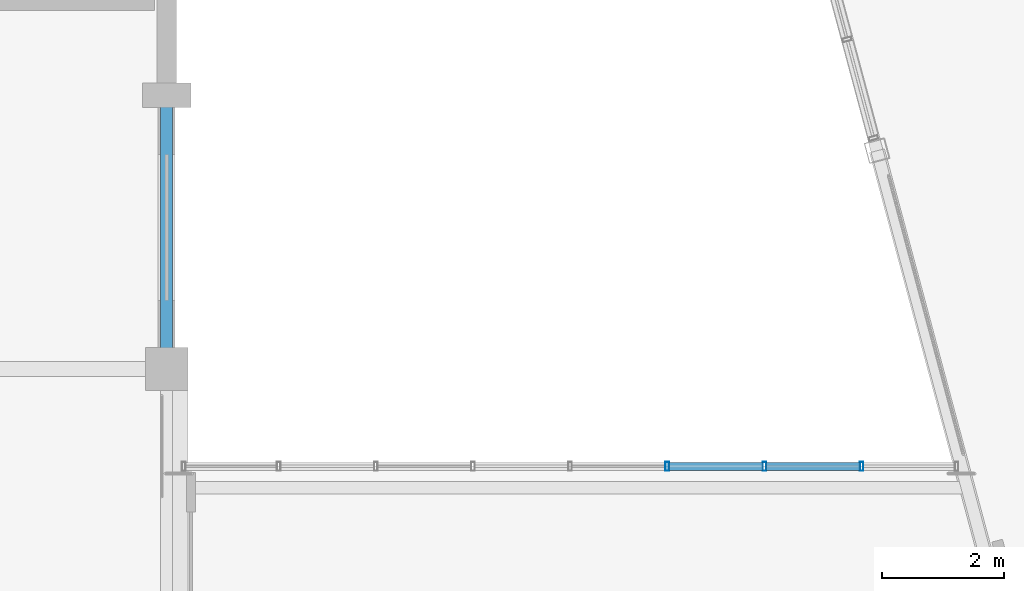
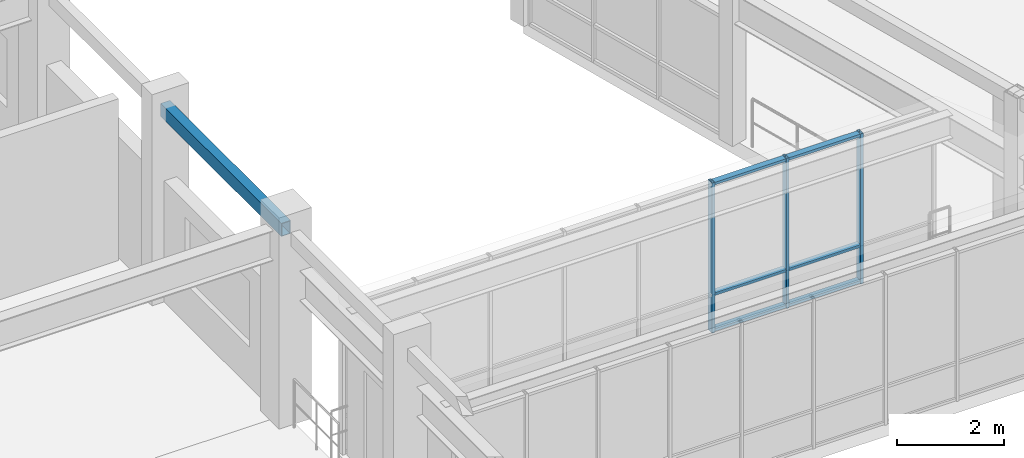
# One storey, part 32 of 99: 9 members, 1 beam, 1 element without a shape of its own.
"""IFC4 building model written with IfcOpenShell, lengths in metres."""

from ifc_helpers import new_model, si_unit, direction, frame, origin, origin_2d, place, context, subcontext, project, spatial, hollow_rectangle, extrude, material, layer, layer_set, material_profile, profile_set, type_object, element, aggregate, save


model = new_model("IFC4")

# Units and contexts
model_context = context("Model", 3, precision=1e-05, world=origin(), true_north=direction((0.0, 1.0)))
body_context = subcontext(model_context, "Body", "Model", "MODEL_VIEW")
ifc_project = project(units=[si_unit("LENGTHUNIT", "METRE"), si_unit("AREAUNIT", "SQUARE_METRE"), si_unit("VOLUMEUNIT", "CUBIC_METRE"), si_unit("PLANEANGLEUNIT", "RADIAN"), si_unit("MASSUNIT", "GRAM", prefix="KILO")], contexts=[model_context])

# Site, building, storey
site_placement = place(None, origin())
site = spatial("IfcSite", under=ifc_project, at=site_placement, CompositionType="ELEMENT")
building_placement = place(site_placement, origin())
building = spatial("IfcBuilding", under=site, at=building_placement, Name="Ventoquebrada Cableway Terminal", CompositionType="ELEMENT")
storey_placement = place(building_placement, frame((0.0, 0.0, 9.60009765625)))
storey = spatial("IfcBuildingStorey", under=building, at=storey_placement, Name="L02", CompositionType="ELEMENT", Elevation=9.60009765625)

# Curtain wall, members
ifc_material_1 = material(Name="Anodized thermally-broken aluminium", Category="aluminium")
ifc_layer = layer(ifc_material_1, 0.159912109375)
ifc_layer_set = layer_set([ifc_layer], Name="Anodized thermally-broken aluminium")
curtain_wall_type = type_object("IfcCurtainWallType", Name="CW-T53", PredefinedType="USERDEFINED", material=ifc_layer_set)
curtain_wall_placement = place(storey_placement, origin())
curtain_wall = element("IfcCurtainWall", 1, at=curtain_wall_placement, inside=storey, type_object=curtain_wall_type, Name="Unitised glazed curtain wall CW-172", ObjectType="UNITISED CURTAIN WALL", PredefinedType="USERDEFINED")
ifc_material_profile_1 = material_profile(ifc_material_1, hollow_rectangle(XDim=0.06005859375, YDim=0.14990234375, WallThickness=0.00390625, at=origin_2d()), Name="CW-MUL-60X150")
ifc_profile_set_1 = profile_set([ifc_material_profile_1], Name="Anodized thermally-broken aluminium")
member_type_1 = type_object("IfcMemberType", Name="CWM-03", PredefinedType="MULLION", material=ifc_profile_set_1)
member_1_placement = place(storey_placement, frame((46.419921875, 84.39990234375, -0.008056640625), z_axis=(0.0, 0.0, 1.0), x_axis=(-1.0, 0.0, 0.0)))
member_1 = element("IfcMember", 2, at=member_1_placement, type_object=member_type_1, Name="Curtain wall mullion FML-0853", PredefinedType="MULLION", context=body_context, shape_type="SweptSolid", body=[
    extrude(hollow_rectangle(XDim=0.06005859375, YDim=0.14990234375, WallThickness=0.00390625, at=origin_2d()), origin(), (0.0, 0.0, 1.0), 3.412841796875),
])
member_2_placement = place(storey_placement, frame((44.822998046875, 84.39990234375, -0.008056640625), z_axis=(0.0, 0.0, 1.0), x_axis=(-1.0, 0.0, 0.0)))
member_2 = element("IfcMember", 3, at=member_2_placement, type_object=member_type_1, Name="Curtain wall mullion FML-0854", PredefinedType="MULLION", context=body_context, shape_type="SweptSolid", body=[
    extrude(hollow_rectangle(XDim=0.06005859375, YDim=0.14990234375, WallThickness=0.00390625, at=origin_2d()), origin(), (0.0, 0.0, 1.0), 3.412841796875),
])
member_3_placement = place(storey_placement, frame((43.22705078125, 84.39990234375, -0.008056640625), z_axis=(0.0, 0.0, 1.0), x_axis=(-1.0, 0.0, 0.0)))
member_3 = element("IfcMember", 4, at=member_3_placement, type_object=member_type_1, Name="Curtain wall mullion FML-0855", PredefinedType="MULLION", context=body_context, shape_type="SweptSolid", body=[
    extrude(hollow_rectangle(XDim=0.06005859375, YDim=0.14990234375, WallThickness=0.00390625, at=origin_2d()), origin(), (0.0, 0.0, 1.0), 3.412841796875),
])
ifc_material_profile_2 = material_profile(ifc_material_1, hollow_rectangle(XDim=0.06005859375, YDim=0.1298828125, WallThickness=0.00390625, at=origin_2d()), Name="CW-TRN-60X130")
ifc_profile_set_2 = profile_set([ifc_material_profile_2], Name="Anodized thermally-broken aluminium")
member_type_2 = type_object("IfcMemberType", Name="CWT-02", PredefinedType="USERDEFINED", material=ifc_profile_set_2)
member_4_placement = place(storey_placement, frame((46.39501953125, 84.39990234375, 0.034912109375), z_axis=(-1.0, 0.0, 0.0), x_axis=(0.0, 0.0, 1.0)))
member_4 = element("IfcMember", 5, at=member_4_placement, type_object=member_type_2, Name="Curtain wall transom FTR-2492", ObjectType="TRANSOM", PredefinedType="USERDEFINED", context=body_context, shape_type="SweptSolid", body=[
    extrude(hollow_rectangle(XDim=0.06005859375, YDim=0.1298828125, WallThickness=0.00390625, at=origin_2d()), origin(), (0.0, 0.0, 1.0), 1.547119140625),
])
member_5_placement = place(storey_placement, frame((46.39501953125, 84.39990234375, 0.849853515625), z_axis=(-1.0, 0.0, 0.0), x_axis=(0.0, 0.0, 1.0)))
member_5 = element("IfcMember", 6, at=member_5_placement, type_object=member_type_2, Name="Curtain wall transom FTR-2493", ObjectType="TRANSOM", PredefinedType="USERDEFINED", context=body_context, shape_type="SweptSolid", body=[
    extrude(hollow_rectangle(XDim=0.06005859375, YDim=0.1298828125, WallThickness=0.00390625, at=origin_2d()), origin(), (0.0, 0.0, 1.0), 1.547119140625),
])
member_6_placement = place(storey_placement, frame((46.39501953125, 84.39990234375, 3.364990234375), z_axis=(-1.0, 0.0, 0.0), x_axis=(0.0, 0.0, 1.0)))
member_6 = element("IfcMember", 7, at=member_6_placement, type_object=member_type_2, Name="Curtain wall transom FTR-2494", ObjectType="TRANSOM", PredefinedType="USERDEFINED", context=body_context, shape_type="SweptSolid", body=[
    extrude(hollow_rectangle(XDim=0.06005859375, YDim=0.1298828125, WallThickness=0.00390625, at=origin_2d()), origin(), (0.0, 0.0, 1.0), 1.547119140625),
])
member_7_placement = place(storey_placement, frame((44.798095703125, 84.39990234375, 0.034912109375), z_axis=(-1.0, 0.0, 0.0), x_axis=(0.0, 0.0, 1.0)))
member_7 = element("IfcMember", 8, at=member_7_placement, type_object=member_type_2, Name="Curtain wall transom FTR-2495", ObjectType="TRANSOM", PredefinedType="USERDEFINED", context=body_context, shape_type="SweptSolid", body=[
    extrude(hollow_rectangle(XDim=0.06005859375, YDim=0.1298828125, WallThickness=0.00390625, at=origin_2d()), origin(), (0.0, 0.0, 1.0), 1.546142578125),
])
member_8_placement = place(storey_placement, frame((44.798095703125, 84.39990234375, 0.849853515625), z_axis=(-1.0, 0.0, 0.0), x_axis=(0.0, 0.0, 1.0)))
member_8 = element("IfcMember", 9, at=member_8_placement, type_object=member_type_2, Name="Curtain wall transom FTR-2496", ObjectType="TRANSOM", PredefinedType="USERDEFINED", context=body_context, shape_type="SweptSolid", body=[
    extrude(hollow_rectangle(XDim=0.06005859375, YDim=0.1298828125, WallThickness=0.00390625, at=origin_2d()), origin(), (0.0, 0.0, 1.0), 1.546142578125),
])
member_9_placement = place(storey_placement, frame((44.798095703125, 84.39990234375, 3.364990234375), z_axis=(-1.0, 0.0, 0.0), x_axis=(0.0, 0.0, 1.0)))
member_9 = element("IfcMember", 10, at=member_9_placement, type_object=member_type_2, Name="Curtain wall transom FTR-2497", ObjectType="TRANSOM", PredefinedType="USERDEFINED", context=body_context, shape_type="SweptSolid", body=[
    extrude(hollow_rectangle(XDim=0.06005859375, YDim=0.1298828125, WallThickness=0.00390625, at=origin_2d()), origin(), (0.0, 0.0, 1.0), 1.546142578125),
])
aggregate(curtain_wall, [member_1, member_2, member_3, member_4, member_5, member_6, member_7, member_8, member_9])

# Beam
ifc_material_2 = material(Name="Steel ASTM A500 Grade C", Category="steel")
ifc_material_profile_3 = material_profile(ifc_material_2, hollow_rectangle(XDim=0.199951171875, YDim=0.300048828125, WallThickness=0.012451171875, at=origin_2d()), Name="RHS300X200X12.5")
ifc_profile_set_3 = profile_set([ifc_material_profile_3], Name="Steel ASTM A500 Grade C")
beam_type = type_object("IfcBeamType", Name="SP-ST02", PredefinedType="SPANDREL", material=ifc_profile_set_3)
beam_placement = place(storey_placement, frame((35.0, 86.0, 4.22998046875), z_axis=(0.0, 1.0, 0.0), x_axis=(-1.0, 0.0, 0.0)))
element("IfcBeam", 11, at=beam_placement, inside=storey, type_object=beam_type, Name="Perimeter spandrel beam FBM-0483", PredefinedType="SPANDREL", context=body_context, shape_type="SweptSolid", body=[
    extrude(hollow_rectangle(XDim=0.199951171875, YDim=0.300048828125, WallThickness=0.012451171875, at=origin_2d()), origin(), (0.0, 0.0, 1.0), 4.5),
])

save(model, "model.ifc")
